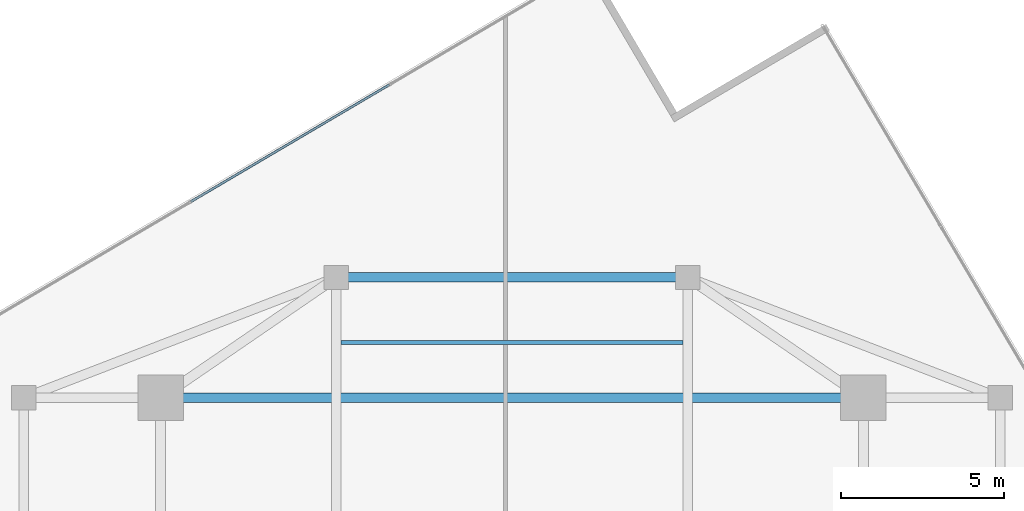
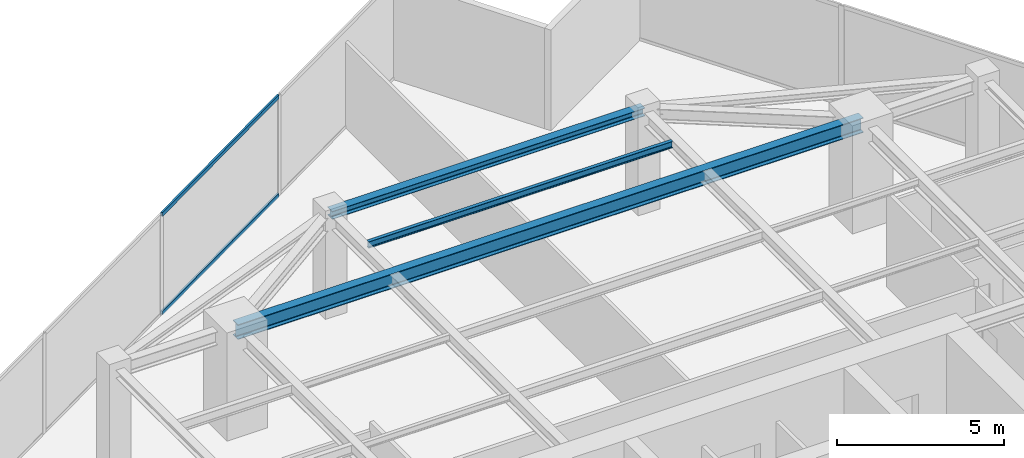
# One storey, part 13 of 20: 3 beams, 2 members, 1 element without a shape of its own.
"""IFC4 building model written with IfcOpenShell, lengths in metres."""

import ifcopenshell
import ifcopenshell.guid

model = None  # the IFC model being written
_history = None  # IfcOwnerHistory: only IFC2X3 demands one
_inside = {}  # id of a spatial element -> (the spatial element, [elements in it])
_under = {}  # id of a project, library or spatial element -> (it, [spatial elements below it])
_declared = {}  # id of a project -> (the project, [libraries it declares])
_typed = {}  # id of a type object -> (the type object, [elements of that type])
_made_of = {}  # id of a material, layer set ... -> (it, [elements and type objects made of it])


def new_model(schema):
    """Start an empty IFC model of exactly this schema.

    Asked for "IFC4X3", IfcOpenShell would pick the latest addendum, in which some entities
    have other attributes; the version numbers below select the first issue.
    IFC2X3 requires an IfcOwnerHistory on every rooted entity: one is made here for all.
    """
    global model, _history
    if schema == "IFC4X3":
        model = ifcopenshell.file(schema_version=(4, 3, 0, 0))
    else:
        model = ifcopenshell.file(schema=schema)
    _inside.clear()
    _under.clear()
    _declared.clear()
    _typed.clear()
    _made_of.clear()
    _history = None
    if model.schema == "IFC2X3":
        org = make("IfcOrganization", Name="unknown")
        user = make(
            "IfcPersonAndOrganization",
            ThePerson=make("IfcPerson", FamilyName="unknown"),
            TheOrganization=org,
        )
        app = make(
            "IfcApplication",
            ApplicationDeveloper=org,
            Version="unknown",
            ApplicationFullName="unknown",
            ApplicationIdentifier="unknown",
        )
        _history = make(
            "IfcOwnerHistory",
            OwningUser=user,
            OwningApplication=app,
            ChangeAction="ADDED",
            CreationDate=0,
        )
    return model


def make(cls, **values):
    """One entity of the class cls with the attributes given. An attribute that is None is left unset."""
    return model.create_entity(
        cls, **{name: value for name, value in values.items() if value is not None}
    )


def rooted(cls, **values):
    """An entity with a GlobalId (a new one), such as an element, a storey or a relation."""
    return make(cls, GlobalId=ifcopenshell.guid.new(), OwnerHistory=_history, **values)


def si_unit(unit_type, name, prefix=None):
    """IfcSIUnit, for example si_unit("LENGTHUNIT", "METRE", prefix="MILLI")."""
    return make("IfcSIUnit", UnitType=unit_type, Prefix=prefix, Name=name)


def assignment(units):
    """IfcUnitAssignment: the units of a project."""
    return None if units is None else make("IfcUnitAssignment", Units=units)


def point(xyz):
    """IfcCartesianPoint."""
    return None if xyz is None else make("IfcCartesianPoint", Coordinates=xyz)


def direction(xyz):
    """IfcDirection."""
    return None if xyz is None else make("IfcDirection", DirectionRatios=xyz)


def frame(location, z_axis=None, x_axis=None):
    """IfcAxis2Placement3D, a coordinate frame: its origin and axes. An axis left out is left unset."""
    return make(
        "IfcAxis2Placement3D",
        Location=point(location),
        Axis=direction(z_axis),
        RefDirection=direction(x_axis),
    )


def frame_2d(location, x_axis=None):
    """IfcAxis2Placement2D, a coordinate frame in the plane: its origin and x axis."""
    return make(
        "IfcAxis2Placement2D", Location=point(location), RefDirection=direction(x_axis)
    )


def origin():
    """The frame at (0, 0, 0) with its axes left unset."""
    return frame((0.0, 0.0, 0.0))


def origin_2d():
    """The frame at (0, 0) in the plane with its x axis left unset."""
    return frame_2d((0.0, 0.0))


def place(relative_to, where):
    """IfcLocalPlacement: puts the frame where relative to a parent placement (None: the world)."""
    return make(
        "IfcLocalPlacement", PlacementRelTo=relative_to, RelativePlacement=where
    )


def context(
    kind, dimensions, precision=None, world=None, true_north=None, identifier=None
):
    """IfcGeometricRepresentationContext, for example the 3D "Model" context."""
    return make(
        "IfcGeometricRepresentationContext",
        ContextIdentifier=identifier,
        ContextType=kind,
        CoordinateSpaceDimension=dimensions,
        Precision=precision,
        WorldCoordinateSystem=world,
        TrueNorth=true_north,
    )


def subcontext(parent, identifier, kind, view, scale=None):
    """IfcGeometricRepresentationSubContext, for example "Body" below "Model"."""
    return make(
        "IfcGeometricRepresentationSubContext",
        ContextIdentifier=identifier,
        ContextType=kind,
        ParentContext=parent,
        TargetScale=scale,
        TargetView=view,
    )


def project(units=None, contexts=None):
    """IfcProject with its units and contexts."""
    return rooted(
        "IfcProject",
        Name="project",
        RepresentationContexts=contexts,
        UnitsInContext=assignment(units),
    )


def spatial(cls, under=None, at=None, **own):
    """A site, building, storey or space (cls), placed at a placement, below another one or the project."""
    s = rooted(cls, ObjectPlacement=at, **own)
    if under is not None:
        _under.setdefault(under.id(), (under, []))[1].append(s)
    return s


def profile(cls, at=None, kind="AREA", **sizes):
    """A parametric profile (cls). Its sizes go by their IFC names, for example OverallWidth=200.0."""
    return make(cls, ProfileType=kind, Position=at, **sizes)


def hollow_rectangle(**sizes):
    """IfcRectangleHollowProfileDef."""
    return profile("IfcRectangleHollowProfileDef", **sizes)


def i_section(**sizes):
    """IfcIShapeProfileDef."""
    return profile("IfcIShapeProfileDef", **sizes)


def extrude(swept, where, along, depth):
    """IfcExtrudedAreaSolid: the profile swept, set in the frame where, extruded along a direction by depth."""
    return make(
        "IfcExtrudedAreaSolid",
        SweptArea=swept,
        Position=where,
        ExtrudedDirection=direction(along),
        Depth=depth,
    )


def shape(context_of_items, identifier, shape_type, items):
    """IfcShapeRepresentation: the items that make up one representation, for example the "Body"."""
    return make(
        "IfcShapeRepresentation",
        ContextOfItems=context_of_items,
        RepresentationIdentifier=identifier,
        RepresentationType=shape_type,
        Items=items,
    )


def source(mapping_origin, context_of_items, identifier, shape_type, items):
    """IfcRepresentationMap: a shape defined once, which mapped items show again and again."""
    return make(
        "IfcRepresentationMap",
        MappingOrigin=mapping_origin,
        MappedRepresentation=shape(context_of_items, identifier, shape_type, items),
    )


def transform(
    local_origin,
    x_axis=None,
    y_axis=None,
    z_axis=None,
    scale=None,
    scale2=None,
    scale3=None,
    uniform=True,
):
    """IfcCartesianTransformationOperator3D, or its non-uniform kind. x_axis, y_axis, z_axis: its Axis1, 2, 3."""
    if uniform:
        return make(
            "IfcCartesianTransformationOperator3D",
            Axis1=direction(x_axis),
            Axis2=direction(y_axis),
            LocalOrigin=point(local_origin),
            Scale=scale,
            Axis3=direction(z_axis),
        )
    return make(
        "IfcCartesianTransformationOperator3DnonUniform",
        Axis1=direction(x_axis),
        Axis2=direction(y_axis),
        LocalOrigin=point(local_origin),
        Scale=scale,
        Axis3=direction(z_axis),
        Scale2=scale2,
        Scale3=scale3,
    )


def mapped(mapping_source, mapping_target):
    """IfcMappedItem: shows the shape of a source again, moved by a transform."""
    return make(
        "IfcMappedItem", MappingSource=mapping_source, MappingTarget=mapping_target
    )


def material(Name=None, Category=None):
    """IfcMaterial."""
    return make("IfcMaterial", Name=Name, Category=Category)


def material_profile(
    of_material, cross_section, Name=None, Category=None, Priority=None
):
    """IfcMaterialProfile: a cross section and its material."""
    return make(
        "IfcMaterialProfile",
        Name=Name,
        Material=of_material,
        Profile=cross_section,
        Priority=Priority,
        Category=Category,
    )


def profile_set(profiles, Name=None, composite=None):
    """IfcMaterialProfileSet."""
    return make(
        "IfcMaterialProfileSet",
        Name=Name,
        MaterialProfiles=profiles,
        CompositeProfile=composite,
    )


def made_of(thing, what):
    """Note that an element or type object is made of a material, layer set ...; save() writes the relation."""
    if what is not None:
        _made_of.setdefault(what.id(), (what, []))[1].append(thing)
    return thing


def type_object(cls, material=None, **own):
    """A type object (cls), such as IfcWallType, which elements share."""
    return made_of(rooted(cls, **own), material)


def type_shapes(of_type, sources):
    """Give a type object the sources (RepresentationMaps) that its elements show as mapped items."""
    of_type.RepresentationMaps = sources


def element(
    cls,
    number,
    at=None,
    inside=None,
    cuts=None,
    type_object=None,
    material=None,
    context=None,
    identifier="Body",
    shape_type=None,
    held_by="IfcProductDefinitionShape",
    body=None,
    shapes=None,
    **own,
):
    """One element of the class cls, such as IfcWall. Its Tag is "e" and its number.

    at: its placement. inside: the storey or other place that contains it. cuts: it is an
    opening in that element (IfcRelVoidsElement). A single representation is given by context,
    identifier, shape_type and body (its items); several are given by shapes. held_by: the class
    of the entity that holds the representations. save() writes the other relations.
    """
    e = rooted(cls, Tag="e%d" % number, ObjectPlacement=at, **own)
    if body is not None:
        shapes = [shape(context, identifier, shape_type, body)]
    if shapes is not None:
        e.Representation = make(held_by, Representations=shapes)
    if inside is not None:
        _inside.setdefault(inside.id(), (inside, []))[1].append(e)
    if cuts is not None:
        rooted(
            "IfcRelVoidsElement", RelatingBuildingElement=cuts, RelatedOpeningElement=e
        )
    if type_object is not None:
        _typed.setdefault(type_object.id(), (type_object, []))[1].append(e)
    return made_of(e, material)


def aggregate(whole, parts):
    """IfcRelAggregates: a whole, such as a stair, and the parts it consists of."""
    return rooted("IfcRelAggregates", RelatingObject=whole, RelatedObjects=parts)


def save(model, path):
    """Write the relations noted so far, then the file.

    IfcRelAggregates (storeys below a building ...), IfcRelContainedInSpatialStructure (elements
    in a storey), IfcRelDefinesByType, IfcRelAssociatesMaterial and IfcRelDeclares: one each for
    every whole, place, type object, material and project.
    """
    for whole, parts in _under.values():
        aggregate(whole, parts)
    for where, things in _inside.values():
        rooted(
            "IfcRelContainedInSpatialStructure",
            RelatedElements=things,
            RelatingStructure=where,
        )
    for kind, things in _typed.values():
        rooted("IfcRelDefinesByType", RelatedObjects=things, RelatingType=kind)
    for what, things in _made_of.values():
        rooted("IfcRelAssociatesMaterial", RelatedObjects=things, RelatingMaterial=what)
    for by, libraries in _declared.values():
        rooted("IfcRelDeclares", RelatingContext=by, RelatedDefinitions=libraries)
    model.write(path)


model = new_model("IFC4")

# Units and contexts
model_context = context("Model", 3, precision=1e-05, world=origin(), true_north=direction((0.0, 1.0)))
body_context = subcontext(model_context, "Body", "Model", "MODEL_VIEW")
ifc_project = project(units=[si_unit("LENGTHUNIT", "METRE"), si_unit("AREAUNIT", "SQUARE_METRE"), si_unit("VOLUMEUNIT", "CUBIC_METRE"), si_unit("PLANEANGLEUNIT", "RADIAN"), si_unit("MASSUNIT", "GRAM", prefix="KILO")], contexts=[model_context])

# Site, building, storey
site_placement = place(None, origin())
site = spatial("IfcSite", under=ifc_project, at=site_placement, CompositionType="ELEMENT")
building_placement = place(site_placement, origin())
building = spatial("IfcBuilding", under=site, at=building_placement, Name="Krantzveldt Concourse Tower", CompositionType="ELEMENT")
storey_placement = place(building_placement, frame((0.0, 0.0, 295.050048828125)))
storey = spatial("IfcBuildingStorey", under=building, at=storey_placement, Name="L72", CompositionType="ELEMENT", Elevation=295.050048828125)

# Beams
ifc_material_1 = material(Name="Steel S355JR", Category="steel")
ifc_material_profile_1 = material_profile(ifc_material_1, i_section(OverallWidth=0.300048828125, OverallDepth=0.5400390625, WebThickness=0.012451171875, FlangeThickness=0.02392578125, FilletRadius=0.027099609375, at=origin_2d()), Name="Steel S355JR", Category="steel")
ifc_profile_set_1 = profile_set([ifc_material_profile_1], Name="Steel S355JR - HEA 550")
beam_type_1 = type_object("IfcBeamType", Name="BM-B-HEA550", PredefinedType="BEAM", material=ifc_profile_set_1)
shared_shape_1 = source(origin(), body_context, "Body", "SweptSolid", [
    extrude(i_section(OverallWidth=0.300048828125, OverallDepth=0.5400390625, WebThickness=0.012451171875, FlangeThickness=0.02392578125, FilletRadius=0.027099609375, at=origin_2d()), origin(), (0.0, 0.0, 1.0), 21.60009765625),
])
type_shapes(beam_type_1, [shared_shape_1])
beam_1_placement = place(storey_placement, frame((25.199951171875, 37.5, 3.39990234375), z_axis=(1.0, 0.0, 0.0), x_axis=(0.0, 1.0, 0.0)))
element("IfcBeam", 1, at=beam_1_placement, inside=storey, type_object=beam_type_1, Name="L72 Tower Girder BG-MN", PredefinedType="BEAM", context=body_context, shape_type="MappedRepresentation", body=[
    mapped(shared_shape_1, transform((0.0, 0.0, 0.0), x_axis=(1.0, 0.0, 0.0), y_axis=(0.0, 1.0, 0.0), z_axis=(0.0, 0.0, 1.0), scale=1.0)),
])
ifc_material_profile_2 = material_profile(ifc_material_1, i_section(OverallWidth=0.2900390625, OverallDepth=0.2900390625, WebThickness=0.008544921875, FlangeThickness=0.013916015625, FilletRadius=0.027099609375, at=origin_2d()), Name="Steel S355JR", Category="steel")
ifc_profile_set_2 = profile_set([ifc_material_profile_2], Name="Steel S355JR - HEA 300")
beam_type_2 = type_object("IfcBeamType", Name="BM-SP-HEA300", PredefinedType="SPANDREL", material=ifc_profile_set_2)
shared_shape_2 = source(origin(), body_context, "Body", "SweptSolid", [
    extrude(i_section(OverallWidth=0.2900390625, OverallDepth=0.2900390625, WebThickness=0.008544921875, FlangeThickness=0.013916015625, FilletRadius=0.027099609375, at=origin_2d()), origin(), (0.0, 0.0, 1.0), 10.7998046875),
])
type_shapes(beam_type_2, [shared_shape_2])
beam_2_placement = place(storey_placement, frame((30.60009765625, 41.199951171875, 3.52490234375), z_axis=(1.0, 0.0, 0.0), x_axis=(0.0, 1.0, 0.0)))
element("IfcBeam", 2, at=beam_2_placement, inside=storey, type_object=beam_type_2, Name="L72 Tower Girder SP-R04", PredefinedType="SPANDREL", context=body_context, shape_type="MappedRepresentation", body=[
    mapped(shared_shape_2, transform((0.0, 0.0, 0.0), x_axis=(1.0, 0.0, 0.0), y_axis=(0.0, 1.0, 0.0), z_axis=(0.0, 0.0, 1.0), scale=1.0)),
])
ifc_material_profile_3 = material_profile(ifc_material_1, i_section(OverallWidth=0.1201171875, OverallDepth=0.239990234375, WebThickness=0.006103515625, FlangeThickness=0.009765625, FilletRadius=0.014892578125, at=origin_2d()), Name="Steel S355JR", Category="steel")
ifc_profile_set_3 = profile_set([ifc_material_profile_3], Name="Steel S355JR - IPE 240")
beam_type_3 = type_object("IfcBeamType", Name="BM-LN-IPE240", PredefinedType="LINTEL", material=ifc_profile_set_3)
shared_shape_3 = source(origin(), body_context, "Body", "SweptSolid", [
    extrude(i_section(OverallWidth=0.1201171875, OverallDepth=0.239990234375, WebThickness=0.006103515625, FlangeThickness=0.009765625, FilletRadius=0.014892578125, at=origin_2d()), origin(), (0.0, 0.0, 1.0), 10.5),
])
type_shapes(beam_type_3, [shared_shape_3])
beam_3_placement = place(storey_placement, frame((30.75, 39.199951171875, 3.550048828125), z_axis=(1.0, 0.0, 0.0), x_axis=(0.0, 1.0, 0.0)))
element("IfcBeam", 3, at=beam_3_placement, inside=storey, type_object=beam_type_3, Name="L72 Secondary Floor Joist JN-C3", PredefinedType="LINTEL", context=body_context, shape_type="MappedRepresentation", body=[
    mapped(shared_shape_3, transform((0.0, 0.0, 0.0), x_axis=(1.0, 0.0, 0.0), y_axis=(0.0, 1.0, 0.0), z_axis=(0.0, 0.0, 1.0), scale=1.0)),
])

# Curtain wall, members
ifc_material_2 = material(Name="Anodised aluminium 6063-T6", Category="aluminium")
curtain_wall_type = type_object("IfcCurtainWallType", Name="CW4", PredefinedType="USERDEFINED", material=ifc_material_2)
curtain_wall_placement = place(storey_placement, origin())
curtain_wall = element("IfcCurtainWall", 4, at=curtain_wall_placement, inside=storey, type_object=curtain_wall_type, Name="CW-L72-F01", ObjectType="UNITISED CURTAIN WALL", PredefinedType="USERDEFINED")
ifc_material_profile_4 = material_profile(ifc_material_2, hollow_rectangle(XDim=0.070068359375, YDim=0.139892578125, WallThickness=0.0048828125, at=origin_2d()), Name="Anodised aluminium 6063-T6", Category="aluminium")
ifc_profile_set_4 = profile_set([ifc_material_profile_4], Name="Anodised aluminium 6063-T6 - ALU-TRAN 140x70x5")
member_type = type_object("IfcMemberType", Name="CW-TRN-150", PredefinedType="USERDEFINED", material=ifc_profile_set_4)
shared_shape_4 = source(origin(), body_context, "Body", "SweptSolid", [
    extrude(hollow_rectangle(XDim=0.070068359375, YDim=0.139892578125, WallThickness=0.0048828125, at=origin_2d()), origin(), (0.0, 0.0, 1.0), 7.080078125),
])
type_shapes(member_type, [shared_shape_4])
member_1_placement = place(storey_placement, frame((32.228515625, 47.12158203125, 0.034912109375), z_axis=(-0.861621135321, -0.507551986665, 0.0), x_axis=(0.507551986665, -0.861621135321, 0.0)))
member_1 = element("IfcMember", 5, at=member_1_placement, type_object=member_type, Name="CW-Z56 transom 2.1", ObjectType="TRANSOM", PredefinedType="USERDEFINED", context=body_context, shape_type="MappedRepresentation", body=[
    mapped(shared_shape_4, transform((0.0, 0.0, 0.0), x_axis=(1.0, 0.0, 0.0), y_axis=(0.0, 1.0, 0.0), z_axis=(0.0, 0.0, 1.0), scale=1.0)),
])
member_2_placement = place(storey_placement, frame((32.228515625, 47.12158203125, 3.635009765625), z_axis=(-0.861621135321, -0.507551986665, 0.0), x_axis=(0.507551986665, -0.861621135321, 0.0)))
member_2 = element("IfcMember", 6, at=member_2_placement, type_object=member_type, Name="CW-Z56 transom 2.2", ObjectType="TRANSOM", PredefinedType="USERDEFINED", context=body_context, shape_type="MappedRepresentation", body=[
    mapped(shared_shape_4, transform((0.0, 0.0, 0.0), x_axis=(1.0, 0.0, 0.0), y_axis=(0.0, 1.0, 0.0), z_axis=(0.0, 0.0, 1.0), scale=1.0)),
])
aggregate(curtain_wall, [member_1, member_2])

save(model, "model.ifc")
